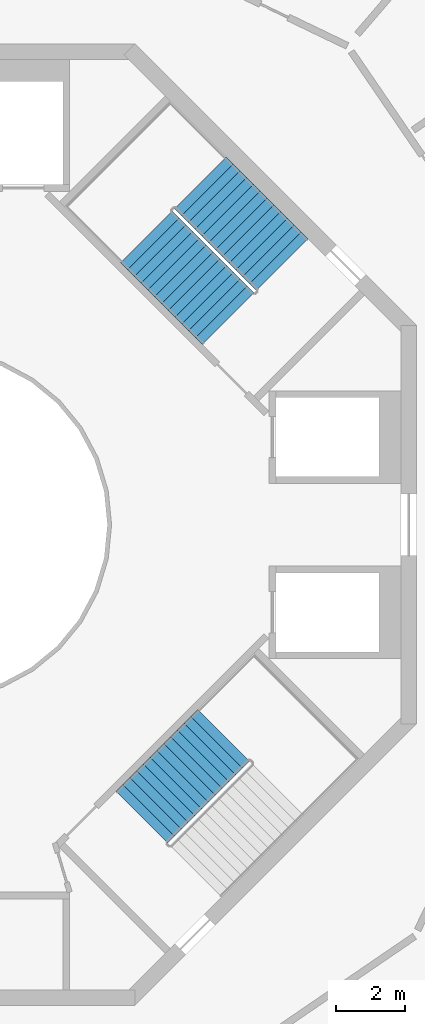
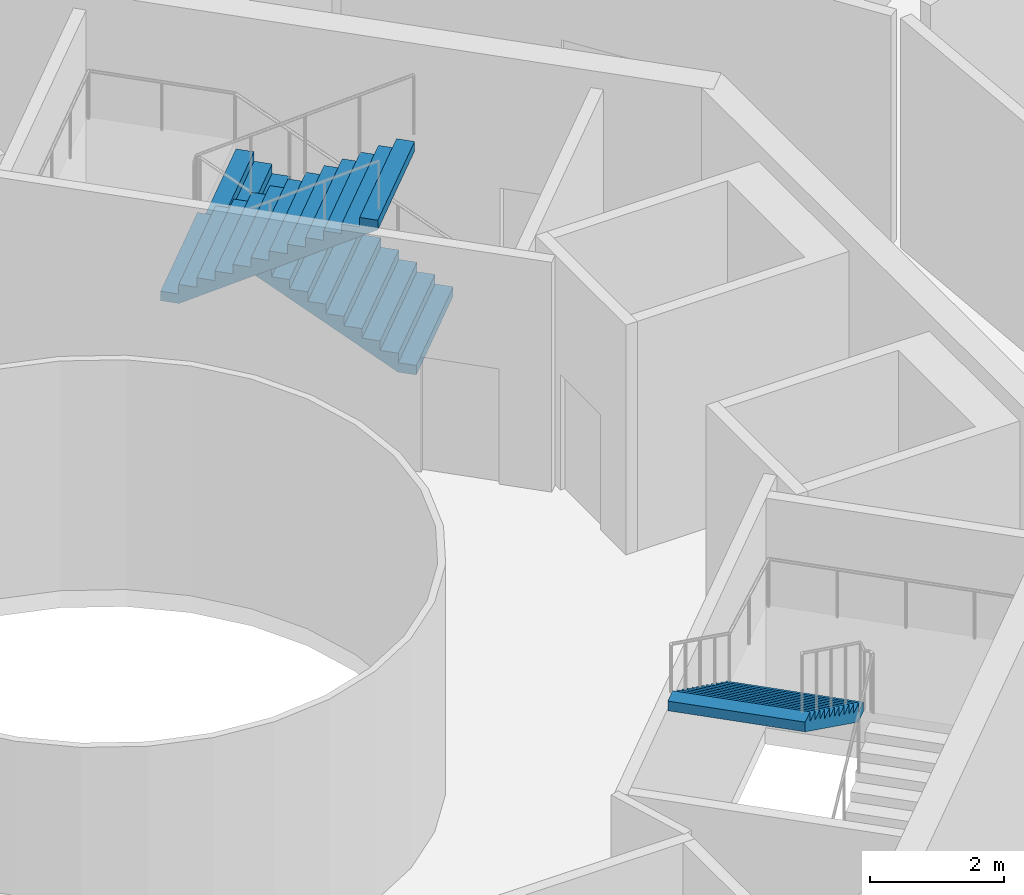
# One storey, part 18 of 19: 3 stair flights, 2 elements without a shape of their own.
"""IFC4 building model written with IfcOpenShell, lengths in metres."""

from ifc_helpers import new_model, si_unit, direction, frame, origin, place, context, subcontext, project, spatial, triangles, material, type_object, element, aggregate, save


model = new_model("IFC4")

# Units and contexts
model_context = context("Model", 3, precision=1e-05, world=origin(), true_north=direction((0.0, 1.0)))
body_context = subcontext(model_context, "Body", "Model", "MODEL_VIEW")
ifc_project = project(units=[si_unit("LENGTHUNIT", "METRE"), si_unit("AREAUNIT", "SQUARE_METRE"), si_unit("VOLUMEUNIT", "CUBIC_METRE"), si_unit("PLANEANGLEUNIT", "RADIAN"), si_unit("MASSUNIT", "GRAM", prefix="KILO")], contexts=[model_context])

# Site, building, storey
site_placement = place(None, origin())
site = spatial("IfcSite", under=ifc_project, at=site_placement, CompositionType="ELEMENT")
building_placement = place(site_placement, origin())
building = spatial("IfcBuilding", under=site, at=building_placement, Name="Verdalira Terraces Hotel", CompositionType="ELEMENT")
storey_placement = place(building_placement, frame((0.0, 0.0, 295.0)))
storey = spatial("IfcBuildingStorey", under=building, at=storey_placement, Name="L73", CompositionType="ELEMENT", Elevation=295.0)

# Stair, stair flights
ifc_material_1 = material(Name="Concrete C40", Category="concrete")
stair_type = type_object("IfcStairType", Name="Core stair 26 risers 2125 mm wide", PredefinedType="HALF_TURN_STAIR", material=ifc_material_1)
stair_1_placement = place(storey_placement, origin())
stair_1 = element("IfcStair", 1, at=stair_1_placement, inside=storey, type_object=stair_type, Name="L73 Exit stair ST1", PredefinedType="HALF_TURN_STAIR")
ifc_material_2 = material(Name="Concrete C40", Category="concrete")
stair_flight_type = type_object("IfcStairFlightType", Name="Core stair flight 26 risers 2125 mm wide", PredefinedType="STRAIGHT", material=ifc_material_2)
stair_flight_1_placement = place(storey_placement, frame((10.085205, 7.574951, 0.0), z_axis=(0.0, 0.0, 1.0), x_axis=(-0.707106781, 0.707106781, 0.0)))
stair_flight_1 = element("IfcStairFlight", 2, at=stair_flight_1_placement, type_object=stair_flight_type, Name="ST1 flight 1", NumberOfRisers=13, NumberOfTreads=12, PredefinedType="STRAIGHT", RiserHeight=0.173076923, TreadLength=0.28, context=body_context, shape_type="Tessellation", body=[
    triangles([(0.0, 1.0625, 0.0), (0.285156, 1.0625, 0.0), (3.360107, 1.0625, 1.900635), (0.0, -1.0625, 0.0), (0.285156, -1.0625, 0.0), (3.360107, -1.0625, 1.900635), (3.360107, 1.0625, 2.076904), (3.080078, 1.0625, 2.076904), (3.360107, -1.0625, 2.076904), (3.080078, -1.0625, 2.076904), (3.080078, 1.0625, 1.903809), (3.080078, -1.0625, 1.903809), (2.800049, 1.0625, 1.903809), (2.800049, -1.0625, 1.903809), (2.800049, 1.0625, 1.730713), (2.800049, -1.0625, 1.730713), (2.52002, 1.0625, 1.730713), (2.52002, 1.0625, 1.557617), (2.52002, -1.0625, 1.730713), (2.52002, -1.0625, 1.557617), (2.23999, 1.0625, 1.557617), (2.23999, 1.0625, 1.384521), (2.23999, -1.0625, 1.557617), (2.23999, -1.0625, 1.384521), (1.959961, 1.0625, 1.384521), (1.959961, 1.0625, 1.211426), (1.959961, -1.0625, 1.384521), (1.959961, -1.0625, 1.211426), (1.679932, 1.0625, 1.211426), (1.679932, 1.0625, 1.038574), (1.679932, -1.0625, 1.211426), (1.679932, -1.0625, 1.038574), (1.399902, 1.0625, 1.038574), (1.399902, 1.0625, 0.865479), (1.399902, -1.0625, 1.038574), (1.399902, -1.0625, 0.865479), (1.120117, 1.0625, 0.865479), (1.120117, 1.0625, 0.692383), (1.120117, -1.0625, 0.865479), (1.120117, -1.0625, 0.692383), (0.840088, 1.0625, 0.692383), (0.840088, 1.0625, 0.519287), (0.840088, -1.0625, 0.692383), (0.840088, -1.0625, 0.519287), (0.560059, 1.0625, 0.519287), (0.560059, 1.0625, 0.346191), (0.560059, -1.0625, 0.519287), (0.560059, -1.0625, 0.346191), (0.280029, 1.0625, 0.346191), (0.280029, 1.0625, 0.173096), (0.280029, -1.0625, 0.346191), (0.280029, -1.0625, 0.173096), (0.0, 1.0625, 0.173096), (0.0, -1.0625, 0.173096), (0.0, -0.996094, 0.0), (0.0, -0.996094, 0.173096), (0.0, -0.929688, 0.0), (0.0, -0.929688, 0.173096), (0.0, -0.863281, 0.0), (0.0, -0.863281, 0.173096), (0.0, -0.796875, 0.0), (0.0, -0.796875, 0.173096), (0.0, -0.730469, 0.0), (0.0, -0.730469, 0.173096), (0.0, -0.664062, 0.0), (0.0, -0.664062, 0.173096), (0.0, -0.597656, 0.0), (0.0, -0.597656, 0.173096), (0.0, -0.53125, 0.0), (0.0, -0.53125, 0.173096), (0.0, -0.464844, 0.0), (0.0, -0.464844, 0.173096), (0.0, -0.398438, 0.0), (0.0, -0.398438, 0.173096), (0.0, -0.332031, 0.0), (0.0, -0.332031, 0.173096), (0.0, -0.265625, 0.0), (0.0, -0.265625, 0.173096), (0.0, -0.199219, 0.0), (0.0, -0.199219, 0.173096), (0.0, -0.132812, 0.0), (0.0, -0.132812, 0.173096), (0.0, -0.066406, 0.0), (0.0, -0.066406, 0.173096), (0.0, 0.0, 0.0), (0.0, 0.0, 0.173096), (0.0, 0.066406, 0.0), (0.0, 0.066406, 0.173096), (0.0, 0.132812, 0.0), (0.0, 0.132812, 0.173096), (0.0, 0.199219, 0.0), (0.0, 0.199219, 0.173096), (0.0, 0.265625, 0.0), (0.0, 0.265625, 0.173096), (0.0, 0.332031, 0.0), (0.0, 0.332031, 0.173096), (0.0, 0.398438, 0.0), (0.0, 0.398438, 0.173096), (0.0, 0.464844, 0.0), (0.0, 0.464844, 0.173096), (0.0, 0.53125, 0.0), (0.0, 0.53125, 0.173096), (0.0, 0.597656, 0.0), (0.0, 0.597656, 0.173096), (0.0, 0.664062, 0.0), (0.0, 0.664062, 0.173096), (0.0, 0.730469, 0.0), (0.0, 0.730469, 0.173096), (0.0, 0.796875, 0.0), (0.0, 0.796875, 0.173096), (0.0, 0.863281, 0.0), (0.0, 0.863281, 0.173096), (0.0, 0.929688, 0.0), (0.0, 0.929688, 0.173096), (0.0, 0.996094, 0.0), (0.0, 0.996094, 0.173096), (3.360107, -0.996094, 2.076904), (3.360107, -0.929688, 2.076904), (3.360107, -0.863281, 2.076904), (3.360107, -0.796875, 2.076904), (3.360107, -0.730469, 2.076904), (3.360107, -0.664062, 2.076904), (3.360107, -0.597656, 2.076904), (3.360107, -0.53125, 2.076904), (3.360107, -0.464844, 2.076904), (3.360107, -0.398438, 2.076904), (3.360107, -0.332031, 2.076904), (3.360107, -0.265625, 2.076904), (3.360107, -0.199219, 2.076904), (3.360107, -0.132812, 2.076904), (3.360107, -0.066406, 2.076904), (3.360107, 0.0, 2.076904), (3.360107, 0.066406, 2.076904), (3.360107, 0.132812, 2.076904), (3.360107, 0.199219, 2.076904), (3.360107, 0.265625, 2.076904), (3.360107, 0.332031, 2.076904), (3.360107, 0.398438, 2.076904), (3.360107, 0.464844, 2.076904), (3.360107, 0.53125, 2.076904), (3.360107, 0.597656, 2.076904), (3.360107, 0.664062, 2.076904), (3.360107, 0.730469, 2.076904), (3.360107, 0.796875, 2.076904), (3.360107, 0.863281, 2.076904), (3.360107, 0.929688, 2.076904), (3.360107, 0.996094, 2.076904), (3.360107, -0.996094, 1.900635), (3.360107, -0.929688, 1.900635), (3.360107, -0.863281, 1.900635), (3.360107, -0.796875, 1.900635), (3.360107, -0.730469, 1.900635), (3.360107, -0.664062, 1.900635), (3.360107, -0.597656, 1.900635), (3.360107, -0.53125, 1.900635), (3.360107, -0.464844, 1.900635), (3.360107, -0.398438, 1.900635), (3.360107, -0.332031, 1.900635), (3.360107, -0.265625, 1.900635), (3.360107, -0.199219, 1.900635), (3.360107, -0.132812, 1.900635), (3.360107, -0.066406, 1.900635), (3.360107, 0.0, 1.900635), (3.360107, 0.066406, 1.900635), (3.360107, 0.132812, 1.900635), (3.360107, 0.199219, 1.900635), (3.360107, 0.265625, 1.900635), (3.360107, 0.332031, 1.900635), (3.360107, 0.398438, 1.900635), (3.360107, 0.464844, 1.900635), (3.360107, 0.53125, 1.900635), (3.360107, 0.597656, 1.900635), (3.360107, 0.664062, 1.900635), (3.360107, 0.730469, 1.900635), (3.360107, 0.796875, 1.900635), (3.360107, 0.863281, 1.900635), (3.360107, 0.929688, 1.900635), (3.360107, 0.996094, 1.900635)], [[1, 3, 2], [4, 5, 6], [3, 8, 7], [6, 9, 10], [3, 11, 8], [6, 10, 12], [3, 13, 11], [6, 12, 14], [3, 15, 13], [6, 14, 16], [15, 18, 17], [16, 19, 20], [3, 18, 15], [6, 16, 20], [18, 22, 21], [20, 23, 24], [3, 22, 18], [6, 20, 24], [22, 26, 25], [24, 27, 28], [3, 26, 22], [6, 24, 28], [1, 26, 3], [4, 6, 28], [26, 30, 29], [28, 31, 32], [30, 34, 33], [32, 35, 36], [26, 34, 30], [28, 32, 36], [34, 38, 37], [36, 39, 40], [26, 38, 34], [28, 36, 40], [38, 42, 41], [40, 43, 44], [26, 42, 38], [28, 40, 44], [42, 46, 45], [44, 47, 48], [26, 46, 42], [28, 44, 48], [46, 50, 49], [48, 51, 52], [26, 50, 46], [28, 48, 52], [1, 50, 26], [4, 28, 52], [50, 1, 53], [52, 54, 4], [4, 56, 55], [4, 54, 56], [55, 58, 57], [55, 56, 58], [57, 60, 59], [57, 58, 60], [59, 62, 61], [59, 60, 62], [61, 64, 63], [61, 62, 64], [63, 66, 65], [63, 64, 66], [65, 68, 67], [65, 66, 68], [67, 70, 69], [67, 68, 70], [69, 72, 71], [69, 70, 72], [71, 74, 73], [71, 72, 74], [73, 76, 75], [73, 74, 76], [75, 78, 77], [75, 76, 78], [77, 80, 79], [77, 78, 80], [79, 82, 81], [79, 80, 82], [81, 84, 83], [81, 82, 84], [83, 86, 85], [83, 84, 86], [85, 88, 87], [85, 86, 88], [87, 90, 89], [87, 88, 90], [89, 92, 91], [89, 90, 92], [91, 94, 93], [91, 92, 94], [93, 96, 95], [93, 94, 96], [95, 98, 97], [95, 96, 98], [97, 100, 99], [97, 98, 100], [99, 102, 101], [99, 100, 102], [101, 104, 103], [101, 102, 104], [103, 106, 105], [103, 104, 106], [105, 108, 107], [105, 106, 108], [107, 110, 109], [107, 108, 110], [109, 112, 111], [109, 110, 112], [111, 114, 113], [111, 112, 114], [113, 116, 115], [113, 114, 116], [115, 53, 1], [115, 116, 53], [54, 52, 56], [56, 52, 58], [58, 52, 60], [60, 52, 62], [62, 52, 64], [64, 52, 66], [66, 52, 68], [68, 52, 70], [70, 52, 72], [72, 52, 74], [74, 52, 76], [76, 52, 78], [78, 52, 80], [80, 52, 82], [82, 52, 84], [84, 52, 86], [86, 52, 88], [88, 52, 90], [90, 52, 92], [92, 52, 94], [94, 52, 96], [96, 52, 98], [98, 52, 100], [100, 52, 102], [102, 52, 104], [104, 52, 106], [106, 52, 108], [108, 52, 110], [110, 52, 112], [112, 52, 114], [114, 52, 116], [116, 52, 53], [53, 52, 50], [52, 49, 50], [52, 51, 49], [51, 46, 49], [51, 48, 46], [48, 45, 46], [48, 47, 45], [47, 42, 45], [47, 44, 42], [44, 41, 42], [44, 43, 41], [43, 38, 41], [43, 40, 38], [40, 37, 38], [40, 39, 37], [39, 34, 37], [39, 36, 34], [36, 33, 34], [36, 35, 33], [35, 30, 33], [35, 32, 30], [32, 29, 30], [32, 31, 29], [31, 26, 29], [31, 28, 26], [28, 25, 26], [28, 27, 25], [27, 22, 25], [27, 24, 22], [24, 21, 22], [24, 23, 21], [23, 18, 21], [23, 20, 18], [20, 17, 18], [20, 19, 17], [19, 15, 17], [19, 16, 15], [16, 13, 15], [16, 14, 13], [14, 11, 13], [14, 12, 11], [12, 8, 11], [12, 10, 8], [9, 117, 10], [117, 118, 10], [118, 119, 10], [119, 120, 10], [120, 121, 10], [121, 122, 10], [122, 123, 10], [123, 124, 10], [124, 125, 10], [125, 126, 10], [126, 127, 10], [127, 128, 10], [128, 129, 10], [129, 130, 10], [130, 131, 10], [131, 132, 10], [132, 133, 10], [133, 134, 10], [134, 135, 10], [135, 136, 10], [136, 137, 10], [137, 138, 10], [138, 139, 10], [139, 140, 10], [140, 141, 10], [141, 142, 10], [142, 143, 10], [143, 144, 10], [144, 145, 10], [145, 146, 10], [146, 147, 10], [147, 7, 10], [7, 8, 10], [9, 148, 117], [9, 6, 148], [117, 149, 118], [117, 148, 149], [118, 150, 119], [118, 149, 150], [119, 151, 120], [119, 150, 151], [120, 152, 121], [120, 151, 152], [121, 153, 122], [121, 152, 153], [122, 154, 123], [122, 153, 154], [123, 155, 124], [123, 154, 155], [124, 156, 125], [124, 155, 156], [125, 157, 126], [125, 156, 157], [126, 158, 127], [126, 157, 158], [127, 159, 128], [127, 158, 159], [128, 160, 129], [128, 159, 160], [129, 161, 130], [129, 160, 161], [130, 162, 131], [130, 161, 162], [131, 163, 132], [131, 162, 163], [132, 164, 133], [132, 163, 164], [133, 165, 134], [133, 164, 165], [134, 166, 135], [134, 165, 166], [135, 167, 136], [135, 166, 167], [136, 168, 137], [136, 167, 168], [137, 169, 138], [137, 168, 169], [138, 170, 139], [138, 169, 170], [139, 171, 140], [139, 170, 171], [140, 172, 141], [140, 171, 172], [141, 173, 142], [141, 172, 173], [142, 174, 143], [142, 173, 174], [143, 175, 144], [143, 174, 175], [144, 176, 145], [144, 175, 176], [145, 177, 146], [145, 176, 177], [146, 178, 147], [146, 177, 178], [147, 3, 7], [147, 178, 3], [6, 5, 148], [148, 5, 149], [149, 5, 150], [150, 5, 151], [151, 5, 152], [152, 5, 153], [153, 5, 154], [154, 5, 155], [155, 5, 156], [156, 5, 157], [157, 5, 158], [158, 5, 159], [159, 5, 160], [160, 5, 161], [161, 5, 162], [162, 5, 163], [163, 5, 164], [164, 5, 165], [165, 5, 166], [166, 5, 167], [167, 5, 168], [168, 5, 169], [169, 5, 170], [170, 5, 171], [171, 5, 172], [172, 5, 173], [173, 5, 174], [174, 5, 175], [175, 5, 176], [176, 5, 177], [177, 5, 178], [178, 5, 3], [3, 5, 2], [4, 55, 5], [55, 57, 5], [57, 59, 5], [59, 61, 5], [61, 63, 5], [63, 65, 5], [65, 67, 5], [67, 69, 5], [69, 71, 5], [71, 73, 5], [73, 75, 5], [75, 77, 5], [77, 79, 5], [79, 81, 5], [81, 83, 5], [83, 85, 5], [85, 87, 5], [87, 89, 5], [89, 91, 5], [91, 93, 5], [93, 95, 5], [95, 97, 5], [97, 99, 5], [99, 101, 5], [101, 103, 5], [103, 105, 5], [105, 107, 5], [107, 109, 5], [109, 111, 5], [111, 113, 5], [113, 115, 5], [115, 1, 5], [1, 2, 5]], closed=True),
])
stair_flight_2_placement = place(storey_placement, frame((6.135986, 8.377441, 2.25), z_axis=(0.0, 0.0, 1.0), x_axis=(0.707106781, -0.707106781, 0.0)))
stair_flight_2 = element("IfcStairFlight", 3, at=stair_flight_2_placement, type_object=stair_flight_type, Name="ST1 flight 2", NumberOfRisers=13, NumberOfTreads=12, PredefinedType="STRAIGHT", RiserHeight=0.173076923, TreadLength=0.28, context=body_context, shape_type="Tessellation", body=[
    triangles([(0.0, 1.0625, 0.0), (0.285156, 1.0625, 0.0), (3.360107, 1.0625, 1.900635), (0.0, -1.0625, 0.0), (0.285156, -1.0625, 0.0), (3.360107, -1.0625, 1.900635), (3.360107, 1.0625, 2.076904), (3.080078, 1.0625, 2.076904), (3.360107, -1.0625, 2.076904), (3.080078, -1.0625, 2.076904), (3.080078, 1.0625, 1.903809), (3.080078, -1.0625, 1.903809), (2.800049, 1.0625, 1.903809), (2.800049, -1.0625, 1.903809), (2.800049, 1.0625, 1.730713), (2.800049, -1.0625, 1.730713), (2.52002, 1.0625, 1.730713), (2.52002, 1.0625, 1.557617), (2.52002, -1.0625, 1.730713), (2.52002, -1.0625, 1.557617), (2.23999, 1.0625, 1.557617), (2.23999, 1.0625, 1.384521), (2.23999, -1.0625, 1.557617), (2.23999, -1.0625, 1.384521), (1.959961, 1.0625, 1.384521), (1.959961, 1.0625, 1.211426), (1.959961, -1.0625, 1.384521), (1.959961, -1.0625, 1.211426), (1.679932, 1.0625, 1.211426), (1.679932, 1.0625, 1.038574), (1.679932, -1.0625, 1.211426), (1.679932, -1.0625, 1.038574), (1.399902, 1.0625, 1.038574), (1.399902, 1.0625, 0.865479), (1.399902, -1.0625, 1.038574), (1.399902, -1.0625, 0.865479), (1.120117, 1.0625, 0.865479), (1.120117, 1.0625, 0.692383), (1.120117, -1.0625, 0.865479), (1.120117, -1.0625, 0.692383), (0.840088, 1.0625, 0.692383), (0.840088, 1.0625, 0.519287), (0.840088, -1.0625, 0.692383), (0.840088, -1.0625, 0.519287), (0.560059, 1.0625, 0.519287), (0.560059, 1.0625, 0.346191), (0.560059, -1.0625, 0.519287), (0.560059, -1.0625, 0.346191), (0.280029, 1.0625, 0.346191), (0.280029, 1.0625, 0.173096), (0.280029, -1.0625, 0.346191), (0.280029, -1.0625, 0.173096), (0.0, 1.0625, 0.173096), (0.0, -1.0625, 0.173096), (0.0, -0.996094, 0.0), (0.0, -0.996094, 0.173096), (0.0, -0.929688, 0.0), (0.0, -0.929688, 0.173096), (0.0, -0.863281, 0.0), (0.0, -0.863281, 0.173096), (0.0, -0.796875, 0.0), (0.0, -0.796875, 0.173096), (0.0, -0.730469, 0.0), (0.0, -0.730469, 0.173096), (0.0, -0.664062, 0.0), (0.0, -0.664062, 0.173096), (0.0, -0.597656, 0.0), (0.0, -0.597656, 0.173096), (0.0, -0.53125, 0.0), (0.0, -0.53125, 0.173096), (0.0, -0.464844, 0.0), (0.0, -0.464844, 0.173096), (0.0, -0.398438, 0.0), (0.0, -0.398438, 0.173096), (0.0, -0.332031, 0.0), (0.0, -0.332031, 0.173096), (0.0, -0.265625, 0.0), (0.0, -0.265625, 0.173096), (0.0, -0.199219, 0.0), (0.0, -0.199219, 0.173096), (0.0, -0.132812, 0.0), (0.0, -0.132812, 0.173096), (0.0, -0.066406, 0.0), (0.0, -0.066406, 0.173096), (0.0, 0.0, 0.0), (0.0, 0.0, 0.173096), (0.0, 0.066406, 0.0), (0.0, 0.066406, 0.173096), (0.0, 0.132812, 0.0), (0.0, 0.132812, 0.173096), (0.0, 0.199219, 0.0), (0.0, 0.199219, 0.173096), (0.0, 0.265625, 0.0), (0.0, 0.265625, 0.173096), (0.0, 0.332031, 0.0), (0.0, 0.332031, 0.173096), (0.0, 0.398438, 0.0), (0.0, 0.398438, 0.173096), (0.0, 0.464844, 0.0), (0.0, 0.464844, 0.173096), (0.0, 0.53125, 0.0), (0.0, 0.53125, 0.173096), (0.0, 0.597656, 0.0), (0.0, 0.597656, 0.173096), (0.0, 0.664062, 0.0), (0.0, 0.664062, 0.173096), (0.0, 0.730469, 0.0), (0.0, 0.730469, 0.173096), (0.0, 0.796875, 0.0), (0.0, 0.796875, 0.173096), (0.0, 0.863281, 0.0), (0.0, 0.863281, 0.173096), (0.0, 0.929688, 0.0), (0.0, 0.929688, 0.173096), (0.0, 0.996094, 0.0), (0.0, 0.996094, 0.173096), (3.360107, -0.996094, 2.076904), (3.360107, -0.929688, 2.076904), (3.360107, -0.863281, 2.076904), (3.360107, -0.796875, 2.076904), (3.360107, -0.730469, 2.076904), (3.360107, -0.664062, 2.076904), (3.360107, -0.597656, 2.076904), (3.360107, -0.53125, 2.076904), (3.360107, -0.464844, 2.076904), (3.360107, -0.398438, 2.076904), (3.360107, -0.332031, 2.076904), (3.360107, -0.265625, 2.076904), (3.360107, -0.199219, 2.076904), (3.360107, -0.132812, 2.076904), (3.360107, -0.066406, 2.076904), (3.360107, 0.0, 2.076904), (3.360107, 0.066406, 2.076904), (3.360107, 0.132812, 2.076904), (3.360107, 0.199219, 2.076904), (3.360107, 0.265625, 2.076904), (3.360107, 0.332031, 2.076904), (3.360107, 0.398438, 2.076904), (3.360107, 0.464844, 2.076904), (3.360107, 0.53125, 2.076904), (3.360107, 0.597656, 2.076904), (3.360107, 0.664062, 2.076904), (3.360107, 0.730469, 2.076904), (3.360107, 0.796875, 2.076904), (3.360107, 0.863281, 2.076904), (3.360107, 0.929688, 2.076904), (3.360107, 0.996094, 2.076904), (3.360107, -0.996094, 1.900635), (3.360107, -0.929688, 1.900635), (3.360107, -0.863281, 1.900635), (3.360107, -0.796875, 1.900635), (3.360107, -0.730469, 1.900635), (3.360107, -0.664062, 1.900635), (3.360107, -0.597656, 1.900635), (3.360107, -0.53125, 1.900635), (3.360107, -0.464844, 1.900635), (3.360107, -0.398438, 1.900635), (3.360107, -0.332031, 1.900635), (3.360107, -0.265625, 1.900635), (3.360107, -0.199219, 1.900635), (3.360107, -0.132812, 1.900635), (3.360107, -0.066406, 1.900635), (3.360107, 0.0, 1.900635), (3.360107, 0.066406, 1.900635), (3.360107, 0.132812, 1.900635), (3.360107, 0.199219, 1.900635), (3.360107, 0.265625, 1.900635), (3.360107, 0.332031, 1.900635), (3.360107, 0.398438, 1.900635), (3.360107, 0.464844, 1.900635), (3.360107, 0.53125, 1.900635), (3.360107, 0.597656, 1.900635), (3.360107, 0.664062, 1.900635), (3.360107, 0.730469, 1.900635), (3.360107, 0.796875, 1.900635), (3.360107, 0.863281, 1.900635), (3.360107, 0.929688, 1.900635), (3.360107, 0.996094, 1.900635)], [[1, 3, 2], [4, 5, 6], [3, 8, 7], [6, 9, 10], [3, 11, 8], [6, 10, 12], [3, 13, 11], [6, 12, 14], [3, 15, 13], [6, 14, 16], [15, 18, 17], [16, 19, 20], [3, 18, 15], [6, 16, 20], [18, 22, 21], [20, 23, 24], [3, 22, 18], [6, 20, 24], [22, 26, 25], [24, 27, 28], [3, 26, 22], [6, 24, 28], [1, 26, 3], [4, 6, 28], [26, 30, 29], [28, 31, 32], [30, 34, 33], [32, 35, 36], [26, 34, 30], [28, 32, 36], [34, 38, 37], [36, 39, 40], [26, 38, 34], [28, 36, 40], [38, 42, 41], [40, 43, 44], [26, 42, 38], [28, 40, 44], [42, 46, 45], [44, 47, 48], [26, 46, 42], [28, 44, 48], [46, 50, 49], [48, 51, 52], [26, 50, 46], [28, 48, 52], [1, 50, 26], [4, 28, 52], [50, 1, 53], [52, 54, 4], [4, 56, 55], [4, 54, 56], [55, 58, 57], [55, 56, 58], [57, 60, 59], [57, 58, 60], [59, 62, 61], [59, 60, 62], [61, 64, 63], [61, 62, 64], [63, 66, 65], [63, 64, 66], [65, 68, 67], [65, 66, 68], [67, 70, 69], [67, 68, 70], [69, 72, 71], [69, 70, 72], [71, 74, 73], [71, 72, 74], [73, 76, 75], [73, 74, 76], [75, 78, 77], [75, 76, 78], [77, 80, 79], [77, 78, 80], [79, 82, 81], [79, 80, 82], [81, 84, 83], [81, 82, 84], [83, 86, 85], [83, 84, 86], [85, 88, 87], [85, 86, 88], [87, 90, 89], [87, 88, 90], [89, 92, 91], [89, 90, 92], [91, 94, 93], [91, 92, 94], [93, 96, 95], [93, 94, 96], [95, 98, 97], [95, 96, 98], [97, 100, 99], [97, 98, 100], [99, 102, 101], [99, 100, 102], [101, 104, 103], [101, 102, 104], [103, 106, 105], [103, 104, 106], [105, 108, 107], [105, 106, 108], [107, 110, 109], [107, 108, 110], [109, 112, 111], [109, 110, 112], [111, 114, 113], [111, 112, 114], [113, 116, 115], [113, 114, 116], [115, 53, 1], [115, 116, 53], [54, 52, 56], [56, 52, 58], [58, 52, 60], [60, 52, 62], [62, 52, 64], [64, 52, 66], [66, 52, 68], [68, 52, 70], [70, 52, 72], [72, 52, 74], [74, 52, 76], [76, 52, 78], [78, 52, 80], [80, 52, 82], [82, 52, 84], [84, 52, 86], [86, 52, 88], [88, 52, 90], [90, 52, 92], [92, 52, 94], [94, 52, 96], [96, 52, 98], [98, 52, 100], [100, 52, 102], [102, 52, 104], [104, 52, 106], [106, 52, 108], [108, 52, 110], [110, 52, 112], [112, 52, 114], [114, 52, 116], [116, 52, 53], [53, 52, 50], [52, 49, 50], [52, 51, 49], [51, 46, 49], [51, 48, 46], [48, 45, 46], [48, 47, 45], [47, 42, 45], [47, 44, 42], [44, 41, 42], [44, 43, 41], [43, 38, 41], [43, 40, 38], [40, 37, 38], [40, 39, 37], [39, 34, 37], [39, 36, 34], [36, 33, 34], [36, 35, 33], [35, 30, 33], [35, 32, 30], [32, 29, 30], [32, 31, 29], [31, 26, 29], [31, 28, 26], [28, 25, 26], [28, 27, 25], [27, 22, 25], [27, 24, 22], [24, 21, 22], [24, 23, 21], [23, 18, 21], [23, 20, 18], [20, 17, 18], [20, 19, 17], [19, 15, 17], [19, 16, 15], [16, 13, 15], [16, 14, 13], [14, 11, 13], [14, 12, 11], [12, 8, 11], [12, 10, 8], [9, 117, 10], [117, 118, 10], [118, 119, 10], [119, 120, 10], [120, 121, 10], [121, 122, 10], [122, 123, 10], [123, 124, 10], [124, 125, 10], [125, 126, 10], [126, 127, 10], [127, 128, 10], [128, 129, 10], [129, 130, 10], [130, 131, 10], [131, 132, 10], [132, 133, 10], [133, 134, 10], [134, 135, 10], [135, 136, 10], [136, 137, 10], [137, 138, 10], [138, 139, 10], [139, 140, 10], [140, 141, 10], [141, 142, 10], [142, 143, 10], [143, 144, 10], [144, 145, 10], [145, 146, 10], [146, 147, 10], [147, 7, 10], [7, 8, 10], [9, 148, 117], [9, 6, 148], [117, 149, 118], [117, 148, 149], [118, 150, 119], [118, 149, 150], [119, 151, 120], [119, 150, 151], [120, 152, 121], [120, 151, 152], [121, 153, 122], [121, 152, 153], [122, 154, 123], [122, 153, 154], [123, 155, 124], [123, 154, 155], [124, 156, 125], [124, 155, 156], [125, 157, 126], [125, 156, 157], [126, 158, 127], [126, 157, 158], [127, 159, 128], [127, 158, 159], [128, 160, 129], [128, 159, 160], [129, 161, 130], [129, 160, 161], [130, 162, 131], [130, 161, 162], [131, 163, 132], [131, 162, 163], [132, 164, 133], [132, 163, 164], [133, 165, 134], [133, 164, 165], [134, 166, 135], [134, 165, 166], [135, 167, 136], [135, 166, 167], [136, 168, 137], [136, 167, 168], [137, 169, 138], [137, 168, 169], [138, 170, 139], [138, 169, 170], [139, 171, 140], [139, 170, 171], [140, 172, 141], [140, 171, 172], [141, 173, 142], [141, 172, 173], [142, 174, 143], [142, 173, 174], [143, 175, 144], [143, 174, 175], [144, 176, 145], [144, 175, 176], [145, 177, 146], [145, 176, 177], [146, 178, 147], [146, 177, 178], [147, 3, 7], [147, 178, 3], [6, 5, 148], [148, 5, 149], [149, 5, 150], [150, 5, 151], [151, 5, 152], [152, 5, 153], [153, 5, 154], [154, 5, 155], [155, 5, 156], [156, 5, 157], [157, 5, 158], [158, 5, 159], [159, 5, 160], [160, 5, 161], [161, 5, 162], [162, 5, 163], [163, 5, 164], [164, 5, 165], [165, 5, 166], [166, 5, 167], [167, 5, 168], [168, 5, 169], [169, 5, 170], [170, 5, 171], [171, 5, 172], [172, 5, 173], [173, 5, 174], [174, 5, 175], [175, 5, 176], [176, 5, 177], [177, 5, 178], [178, 5, 3], [3, 5, 2], [4, 55, 5], [55, 57, 5], [57, 59, 5], [59, 61, 5], [61, 63, 5], [63, 65, 5], [65, 67, 5], [67, 69, 5], [69, 71, 5], [71, 73, 5], [73, 75, 5], [75, 77, 5], [77, 79, 5], [79, 81, 5], [81, 83, 5], [83, 85, 5], [85, 87, 5], [87, 89, 5], [89, 91, 5], [91, 93, 5], [93, 95, 5], [95, 97, 5], [97, 99, 5], [99, 101, 5], [101, 103, 5], [103, 105, 5], [105, 107, 5], [107, 109, 5], [109, 111, 5], [111, 113, 5], [113, 115, 5], [115, 1, 5], [1, 2, 5]], closed=True),
])
aggregate(stair_1, [stair_flight_1, stair_flight_2])

# Stair, stair flight
stair_2_placement = place(storey_placement, origin())
stair_2 = element("IfcStair", 4, at=stair_2_placement, inside=storey, type_object=stair_type, Name="L73 Exit stair ST3", PredefinedType="HALF_TURN_STAIR")
stair_flight_3_placement = place(storey_placement, frame((8.377441, -6.135986, 2.25), z_axis=(0.0, 0.0, 1.0), x_axis=(-0.707106781, -0.707106781, 0.0)))
stair_flight_3 = element("IfcStairFlight", 5, at=stair_flight_3_placement, type_object=stair_flight_type, Name="ST3 flight 2", NumberOfRisers=13, NumberOfTreads=12, PredefinedType="STRAIGHT", RiserHeight=0.173076923, TreadLength=0.28, context=body_context, shape_type="Tessellation", body=[
    triangles([(0.0, 1.0625, 0.0), (0.285156, 1.0625, 0.0), (3.360107, 1.0625, 1.900635), (0.0, -1.0625, 0.0), (0.285156, -1.0625, 0.0), (3.360107, -1.0625, 1.900635), (3.360107, 1.0625, 2.076904), (3.080078, 1.0625, 2.076904), (3.360107, -1.0625, 2.076904), (3.080078, -1.0625, 2.076904), (3.080078, 1.0625, 1.903809), (3.080078, -1.0625, 1.903809), (2.800049, 1.0625, 1.903809), (2.800049, -1.0625, 1.903809), (2.800049, 1.0625, 1.730713), (2.800049, -1.0625, 1.730713), (2.52002, 1.0625, 1.730713), (2.52002, 1.0625, 1.557617), (2.52002, -1.0625, 1.730713), (2.52002, -1.0625, 1.557617), (2.23999, 1.0625, 1.557617), (2.23999, 1.0625, 1.384521), (2.23999, -1.0625, 1.557617), (2.23999, -1.0625, 1.384521), (1.959961, 1.0625, 1.384521), (1.959961, 1.0625, 1.211426), (1.959961, -1.0625, 1.384521), (1.959961, -1.0625, 1.211426), (1.679932, 1.0625, 1.211426), (1.679932, 1.0625, 1.038574), (1.679932, -1.0625, 1.211426), (1.679932, -1.0625, 1.038574), (1.399902, 1.0625, 1.038574), (1.399902, 1.0625, 0.865479), (1.399902, -1.0625, 1.038574), (1.399902, -1.0625, 0.865479), (1.120117, 1.0625, 0.865479), (1.120117, 1.0625, 0.692383), (1.120117, -1.0625, 0.865479), (1.120117, -1.0625, 0.692383), (0.840088, 1.0625, 0.692383), (0.840088, 1.0625, 0.519287), (0.840088, -1.0625, 0.692383), (0.840088, -1.0625, 0.519287), (0.560059, 1.0625, 0.519287), (0.560059, 1.0625, 0.346191), (0.560059, -1.0625, 0.519287), (0.560059, -1.0625, 0.346191), (0.280029, 1.0625, 0.346191), (0.280029, 1.0625, 0.173096), (0.280029, -1.0625, 0.346191), (0.280029, -1.0625, 0.173096), (0.0, 1.0625, 0.173096), (0.0, -1.0625, 0.173096), (0.0, -0.996094, 0.0), (0.0, -0.996094, 0.173096), (0.0, -0.929688, 0.0), (0.0, -0.929688, 0.173096), (0.0, -0.863281, 0.0), (0.0, -0.863281, 0.173096), (0.0, -0.796875, 0.0), (0.0, -0.796875, 0.173096), (0.0, -0.730469, 0.0), (0.0, -0.730469, 0.173096), (0.0, -0.664062, 0.0), (0.0, -0.664062, 0.173096), (0.0, -0.597656, 0.0), (0.0, -0.597656, 0.173096), (0.0, -0.53125, 0.0), (0.0, -0.53125, 0.173096), (0.0, -0.464844, 0.0), (0.0, -0.464844, 0.173096), (0.0, -0.398438, 0.0), (0.0, -0.398438, 0.173096), (0.0, -0.332031, 0.0), (0.0, -0.332031, 0.173096), (0.0, -0.265625, 0.0), (0.0, -0.265625, 0.173096), (0.0, -0.199219, 0.0), (0.0, -0.199219, 0.173096), (0.0, -0.132812, 0.0), (0.0, -0.132812, 0.173096), (0.0, -0.066406, 0.0), (0.0, -0.066406, 0.173096), (0.0, 0.0, 0.0), (0.0, 0.0, 0.173096), (0.0, 0.066406, 0.0), (0.0, 0.066406, 0.173096), (0.0, 0.132812, 0.0), (0.0, 0.132812, 0.173096), (0.0, 0.199219, 0.0), (0.0, 0.199219, 0.173096), (0.0, 0.265625, 0.0), (0.0, 0.265625, 0.173096), (0.0, 0.332031, 0.0), (0.0, 0.332031, 0.173096), (0.0, 0.398438, 0.0), (0.0, 0.398438, 0.173096), (0.0, 0.464844, 0.0), (0.0, 0.464844, 0.173096), (0.0, 0.53125, 0.0), (0.0, 0.53125, 0.173096), (0.0, 0.597656, 0.0), (0.0, 0.597656, 0.173096), (0.0, 0.664062, 0.0), (0.0, 0.664062, 0.173096), (0.0, 0.730469, 0.0), (0.0, 0.730469, 0.173096), (0.0, 0.796875, 0.0), (0.0, 0.796875, 0.173096), (0.0, 0.863281, 0.0), (0.0, 0.863281, 0.173096), (0.0, 0.929688, 0.0), (0.0, 0.929688, 0.173096), (0.0, 0.996094, 0.0), (0.0, 0.996094, 0.173096), (3.360107, -0.996094, 2.076904), (3.360107, -0.929688, 2.076904), (3.360107, -0.863281, 2.076904), (3.360107, -0.796875, 2.076904), (3.360107, -0.730469, 2.076904), (3.360107, -0.664062, 2.076904), (3.360107, -0.597656, 2.076904), (3.360107, -0.53125, 2.076904), (3.360107, -0.464844, 2.076904), (3.360107, -0.398438, 2.076904), (3.360107, -0.332031, 2.076904), (3.360107, -0.265625, 2.076904), (3.360107, -0.199219, 2.076904), (3.360107, -0.132812, 2.076904), (3.360107, -0.066406, 2.076904), (3.360107, 0.0, 2.076904), (3.360107, 0.066406, 2.076904), (3.360107, 0.132812, 2.076904), (3.360107, 0.199219, 2.076904), (3.360107, 0.265625, 2.076904), (3.360107, 0.332031, 2.076904), (3.360107, 0.398438, 2.076904), (3.360107, 0.464844, 2.076904), (3.360107, 0.53125, 2.076904), (3.360107, 0.597656, 2.076904), (3.360107, 0.664062, 2.076904), (3.360107, 0.730469, 2.076904), (3.360107, 0.796875, 2.076904), (3.360107, 0.863281, 2.076904), (3.360107, 0.929688, 2.076904), (3.360107, 0.996094, 2.076904), (3.360107, -0.996094, 1.900635), (3.360107, -0.929688, 1.900635), (3.360107, -0.863281, 1.900635), (3.360107, -0.796875, 1.900635), (3.360107, -0.730469, 1.900635), (3.360107, -0.664062, 1.900635), (3.360107, -0.597656, 1.900635), (3.360107, -0.53125, 1.900635), (3.360107, -0.464844, 1.900635), (3.360107, -0.398438, 1.900635), (3.360107, -0.332031, 1.900635), (3.360107, -0.265625, 1.900635), (3.360107, -0.199219, 1.900635), (3.360107, -0.132812, 1.900635), (3.360107, -0.066406, 1.900635), (3.360107, 0.0, 1.900635), (3.360107, 0.066406, 1.900635), (3.360107, 0.132812, 1.900635), (3.360107, 0.199219, 1.900635), (3.360107, 0.265625, 1.900635), (3.360107, 0.332031, 1.900635), (3.360107, 0.398438, 1.900635), (3.360107, 0.464844, 1.900635), (3.360107, 0.53125, 1.900635), (3.360107, 0.597656, 1.900635), (3.360107, 0.664062, 1.900635), (3.360107, 0.730469, 1.900635), (3.360107, 0.796875, 1.900635), (3.360107, 0.863281, 1.900635), (3.360107, 0.929688, 1.900635), (3.360107, 0.996094, 1.900635)], [[1, 3, 2], [4, 5, 6], [3, 8, 7], [6, 9, 10], [3, 11, 8], [6, 10, 12], [3, 13, 11], [6, 12, 14], [3, 15, 13], [6, 14, 16], [15, 18, 17], [16, 19, 20], [3, 18, 15], [6, 16, 20], [18, 22, 21], [20, 23, 24], [3, 22, 18], [6, 20, 24], [22, 26, 25], [24, 27, 28], [3, 26, 22], [6, 24, 28], [1, 26, 3], [4, 6, 28], [26, 30, 29], [28, 31, 32], [30, 34, 33], [32, 35, 36], [26, 34, 30], [28, 32, 36], [34, 38, 37], [36, 39, 40], [26, 38, 34], [28, 36, 40], [38, 42, 41], [40, 43, 44], [26, 42, 38], [28, 40, 44], [42, 46, 45], [44, 47, 48], [26, 46, 42], [28, 44, 48], [46, 50, 49], [48, 51, 52], [26, 50, 46], [28, 48, 52], [1, 50, 26], [4, 28, 52], [50, 1, 53], [52, 54, 4], [4, 56, 55], [4, 54, 56], [55, 58, 57], [55, 56, 58], [57, 60, 59], [57, 58, 60], [59, 62, 61], [59, 60, 62], [61, 64, 63], [61, 62, 64], [63, 66, 65], [63, 64, 66], [65, 68, 67], [65, 66, 68], [67, 70, 69], [67, 68, 70], [69, 72, 71], [69, 70, 72], [71, 74, 73], [71, 72, 74], [73, 76, 75], [73, 74, 76], [75, 78, 77], [75, 76, 78], [77, 80, 79], [77, 78, 80], [79, 82, 81], [79, 80, 82], [81, 84, 83], [81, 82, 84], [83, 86, 85], [83, 84, 86], [85, 88, 87], [85, 86, 88], [87, 90, 89], [87, 88, 90], [89, 92, 91], [89, 90, 92], [91, 94, 93], [91, 92, 94], [93, 96, 95], [93, 94, 96], [95, 98, 97], [95, 96, 98], [97, 100, 99], [97, 98, 100], [99, 102, 101], [99, 100, 102], [101, 104, 103], [101, 102, 104], [103, 106, 105], [103, 104, 106], [105, 108, 107], [105, 106, 108], [107, 110, 109], [107, 108, 110], [109, 112, 111], [109, 110, 112], [111, 114, 113], [111, 112, 114], [113, 116, 115], [113, 114, 116], [115, 53, 1], [115, 116, 53], [54, 52, 56], [56, 52, 58], [58, 52, 60], [60, 52, 62], [62, 52, 64], [64, 52, 66], [66, 52, 68], [68, 52, 70], [70, 52, 72], [72, 52, 74], [74, 52, 76], [76, 52, 78], [78, 52, 80], [80, 52, 82], [82, 52, 84], [84, 52, 86], [86, 52, 88], [88, 52, 90], [90, 52, 92], [92, 52, 94], [94, 52, 96], [96, 52, 98], [98, 52, 100], [100, 52, 102], [102, 52, 104], [104, 52, 106], [106, 52, 108], [108, 52, 110], [110, 52, 112], [112, 52, 114], [114, 52, 116], [116, 52, 53], [53, 52, 50], [52, 49, 50], [52, 51, 49], [51, 46, 49], [51, 48, 46], [48, 45, 46], [48, 47, 45], [47, 42, 45], [47, 44, 42], [44, 41, 42], [44, 43, 41], [43, 38, 41], [43, 40, 38], [40, 37, 38], [40, 39, 37], [39, 34, 37], [39, 36, 34], [36, 33, 34], [36, 35, 33], [35, 30, 33], [35, 32, 30], [32, 29, 30], [32, 31, 29], [31, 26, 29], [31, 28, 26], [28, 25, 26], [28, 27, 25], [27, 22, 25], [27, 24, 22], [24, 21, 22], [24, 23, 21], [23, 18, 21], [23, 20, 18], [20, 17, 18], [20, 19, 17], [19, 15, 17], [19, 16, 15], [16, 13, 15], [16, 14, 13], [14, 11, 13], [14, 12, 11], [12, 8, 11], [12, 10, 8], [9, 117, 10], [117, 118, 10], [118, 119, 10], [119, 120, 10], [120, 121, 10], [121, 122, 10], [122, 123, 10], [123, 124, 10], [124, 125, 10], [125, 126, 10], [126, 127, 10], [127, 128, 10], [128, 129, 10], [129, 130, 10], [130, 131, 10], [131, 132, 10], [132, 133, 10], [133, 134, 10], [134, 135, 10], [135, 136, 10], [136, 137, 10], [137, 138, 10], [138, 139, 10], [139, 140, 10], [140, 141, 10], [141, 142, 10], [142, 143, 10], [143, 144, 10], [144, 145, 10], [145, 146, 10], [146, 147, 10], [147, 7, 10], [7, 8, 10], [9, 148, 117], [9, 6, 148], [117, 149, 118], [117, 148, 149], [118, 150, 119], [118, 149, 150], [119, 151, 120], [119, 150, 151], [120, 152, 121], [120, 151, 152], [121, 153, 122], [121, 152, 153], [122, 154, 123], [122, 153, 154], [123, 155, 124], [123, 154, 155], [124, 156, 125], [124, 155, 156], [125, 157, 126], [125, 156, 157], [126, 158, 127], [126, 157, 158], [127, 159, 128], [127, 158, 159], [128, 160, 129], [128, 159, 160], [129, 161, 130], [129, 160, 161], [130, 162, 131], [130, 161, 162], [131, 163, 132], [131, 162, 163], [132, 164, 133], [132, 163, 164], [133, 165, 134], [133, 164, 165], [134, 166, 135], [134, 165, 166], [135, 167, 136], [135, 166, 167], [136, 168, 137], [136, 167, 168], [137, 169, 138], [137, 168, 169], [138, 170, 139], [138, 169, 170], [139, 171, 140], [139, 170, 171], [140, 172, 141], [140, 171, 172], [141, 173, 142], [141, 172, 173], [142, 174, 143], [142, 173, 174], [143, 175, 144], [143, 174, 175], [144, 176, 145], [144, 175, 176], [145, 177, 146], [145, 176, 177], [146, 178, 147], [146, 177, 178], [147, 3, 7], [147, 178, 3], [6, 5, 148], [148, 5, 149], [149, 5, 150], [150, 5, 151], [151, 5, 152], [152, 5, 153], [153, 5, 154], [154, 5, 155], [155, 5, 156], [156, 5, 157], [157, 5, 158], [158, 5, 159], [159, 5, 160], [160, 5, 161], [161, 5, 162], [162, 5, 163], [163, 5, 164], [164, 5, 165], [165, 5, 166], [166, 5, 167], [167, 5, 168], [168, 5, 169], [169, 5, 170], [170, 5, 171], [171, 5, 172], [172, 5, 173], [173, 5, 174], [174, 5, 175], [175, 5, 176], [176, 5, 177], [177, 5, 178], [178, 5, 3], [3, 5, 2], [4, 55, 5], [55, 57, 5], [57, 59, 5], [59, 61, 5], [61, 63, 5], [63, 65, 5], [65, 67, 5], [67, 69, 5], [69, 71, 5], [71, 73, 5], [73, 75, 5], [75, 77, 5], [77, 79, 5], [79, 81, 5], [81, 83, 5], [83, 85, 5], [85, 87, 5], [87, 89, 5], [89, 91, 5], [91, 93, 5], [93, 95, 5], [95, 97, 5], [97, 99, 5], [99, 101, 5], [101, 103, 5], [103, 105, 5], [105, 107, 5], [107, 109, 5], [109, 111, 5], [111, 113, 5], [113, 115, 5], [115, 1, 5], [1, 2, 5]], closed=True),
])
aggregate(stair_2, [stair_flight_3])

save(model, "model.ifc")
